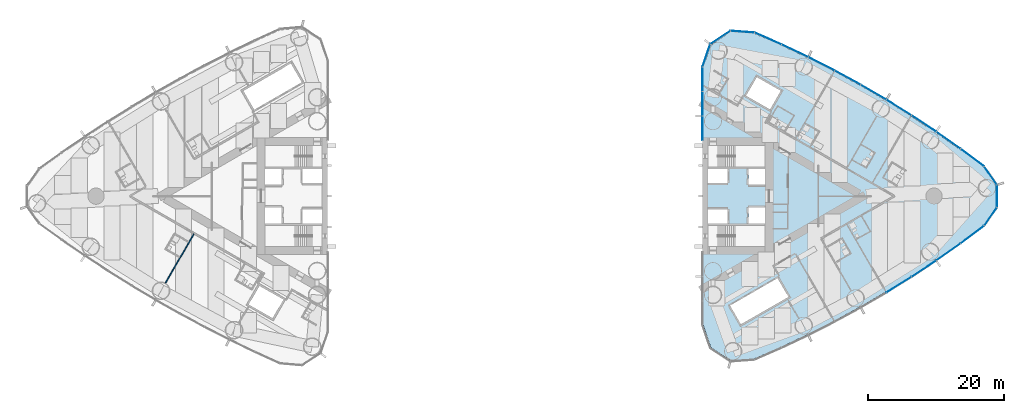
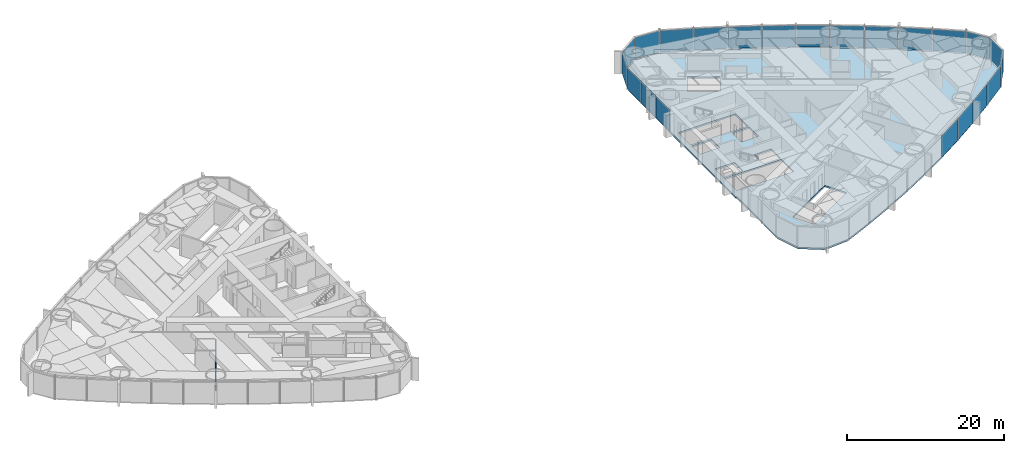
# One storey, part 10 of 19: 22 plates, 1 slab, 1 wall, 1 element without a shape of its own.
"""IFC4 building model written with IfcOpenShell, lengths in metres."""

from ifc_helpers import new_model, si_unit, direction, frame, frame_2d, origin, origin_2d, place, context, subcontext, project, spatial, polyline, rectangle, outline, extrude, material, layer, layer_set, type_object, element, aggregate, save


model = new_model("IFC4")

# Units and contexts
model_context = context("Model", 3, precision=1e-05, world=origin(), true_north=direction((0.0, 1.0)))
body_context = subcontext(model_context, "Body", "Model", "MODEL_VIEW")
ifc_project = project(units=[si_unit("LENGTHUNIT", "METRE"), si_unit("AREAUNIT", "SQUARE_METRE"), si_unit("VOLUMEUNIT", "CUBIC_METRE"), si_unit("PLANEANGLEUNIT", "RADIAN"), si_unit("MASSUNIT", "GRAM", prefix="KILO")], contexts=[model_context])

# Site, building, storey
site_placement = place(None, origin())
site = spatial("IfcSite", under=ifc_project, at=site_placement, CompositionType="ELEMENT")
building_placement = place(site_placement, origin())
building = spatial("IfcBuilding", under=site, at=building_placement, Name="Lancet Gate Hotel", CompositionType="ELEMENT")
storey_placement = place(building_placement, frame((0.0, 0.0, 122.10009765625)))
storey = spatial("IfcBuildingStorey", under=building, at=storey_placement, Name="L32", CompositionType="ELEMENT", Elevation=122.10009765625)

# Slab
ifc_material_1 = material(Name="Concrete C50/60", Category="concrete")
ifc_layer_1 = layer(ifc_material_1, 0.25)
ifc_layer_set_1 = layer_set([ifc_layer_1], Name="Floor slab 250")
slab_type = type_object("IfcSlabType", Name="Floor slab 250", PredefinedType="FLOOR", material=ifc_layer_set_1)
slab_placement = place(storey_placement, frame((0.0, 0.0, -0.25)))
element("IfcSlab", 1, at=slab_placement, inside=storey, type_object=slab_type, Name="T2 L32 floor slab", PredefinedType="FLOOR", context=body_context, shape_type="SweptSolid", body=[
    extrude(outline(polyline([(27.5, -8.60009765625), (27.6201171875, -8.60009765625), (27.6201171875, -18.923095703125), (28.7451171875, -22.22412109375), (31.63427734375, -24.1396484375), (35.112060546875, -23.890869140625), (39.0712890625, -22.150634765625), (42.996826171875, -20.29052734375), (46.867919921875, -18.31982421875), (50.681640625, -16.23974609375), (54.4345703125, -14.052490234375), (58.123779296875, -11.75927734375), (61.74658203125, -9.362548828125), (65.2998046875, -6.863525390625), (68.7666015625, -4.275390625), (70.627197265625, -1.6142578125), (70.627197265625, 1.6142578125), (68.7666015625, 4.275390625), (65.2998046875, 6.863525390625), (61.74658203125, 9.362548828125), (58.123779296875, 11.75927734375), (54.4345703125, 14.052490234375), (50.681640625, 16.23974609375), (46.867919921875, 18.31982421875), (42.996826171875, 20.29052734375), (39.0712890625, 22.150634765625), (35.112060546875, 23.890869140625), (31.63427734375, 24.1396484375), (28.7451171875, 22.22412109375), (27.6201171875, 18.923095703125), (27.6201171875, 8.60009765625), (27.5, 8.60009765625), (27.5, 8.199951171875), (27.5, -8.199951171875), (27.5, -8.60009765625)]), holes=[polyline([(36.699951171875, -7.39990234375), (36.699951171875, -4.300048828125), (28.300048828125, -4.300048828125), (28.300048828125, -7.39990234375), (36.699951171875, -7.39990234375)]), polyline([(28.300048828125, -4.0), (31.199951171875, -4.0), (31.199951171875, -1.89990234375), (28.300048828125, -1.89990234375), (28.300048828125, -4.0)]), polyline([(34.25, -4.0), (36.699951171875, -4.0), (36.699951171875, -1.64990234375), (34.25, -1.64990234375), (34.25, -4.0)]), polyline([(36.699951171875, 1.64990234375), (36.699951171875, 4.0), (34.25, 4.0), (34.25, 1.64990234375), (36.699951171875, 1.64990234375)]), polyline([(28.300048828125, 1.89990234375), (31.199951171875, 1.89990234375), (31.199951171875, 4.0), (28.300048828125, 4.0), (28.300048828125, 1.89990234375)]), polyline([(28.300048828125, 4.300048828125), (36.699951171875, 4.300048828125), (36.699951171875, 7.39990234375), (28.300048828125, 7.39990234375), (28.300048828125, 4.300048828125)]), polyline([(31.549072265625, -16.0810546875), (33.14892578125, -18.85205078125), (40.1640625, -14.802001953125), (38.56396484375, -12.031005859375), (31.549072265625, -16.0810546875)]), polyline([(33.887939453125, 14.73095703125), (37.43798828125, 12.680908203125), (39.0380859375, 15.451904296875), (35.488037109375, 17.501953125), (33.887939453125, 14.73095703125)])]), origin(), (0.0, 0.0, 1.0), 0.25),
])

# Curtain wall, plates
ifc_material_2 = material(Name="Aluminium curtain wall", Category="aluminium")
curtain_wall_type = type_object("IfcCurtainWallType", Name="Tower unitised curtain wall", PredefinedType="USERDEFINED", material=ifc_material_2)
curtain_wall_placement = place(storey_placement, origin())
curtain_wall = element("IfcCurtainWall", 2, at=curtain_wall_placement, inside=storey, type_object=curtain_wall_type, Name="T2 L32 curtain wall 1", ObjectType="UNITISED CURTAIN WALL", PredefinedType="USERDEFINED")
ifc_material_3 = material(Name="Glass double glazed unit 8-16-6", Category="glass")
ifc_layer_2 = layer(ifc_material_3, 0.030029296875)
ifc_layer_set_2 = layer_set([ifc_layer_2], Name="Vision panel double glazed")
plate_type = type_object("IfcPlateType", Name="Vision panel double glazed", PredefinedType="CURTAIN_PANEL", material=ifc_layer_set_2)
plate_1_placement = place(storey_placement, frame((56.342529296875, -13.0078125, -0.000244140625), z_axis=(0.0, 0.0, 1.0), x_axis=(0.849317759497, 0.527881940781, 0.0)))
plate_1 = element("IfcPlate", 3, at=plate_1_placement, type_object=plate_type, Name="T2 L32 curtain wall 1 panel 12", PredefinedType="CURTAIN_PANEL", context=body_context, shape_type="SweptSolid", body=[
    extrude(rectangle(XDim=4.2822265625, YDim=0.030029296875, at=origin_2d()), origin(), (0.0, 0.0, 1.0), 3.35009765625),
])
plate_2_placement = place(storey_placement, frame((60.00146484375, -10.660888671875, -0.000244140625), z_axis=(0.0, 0.0, 1.0), x_axis=(0.83398495346, 0.551787184885, 0.0)))
plate_2 = element("IfcPlate", 4, at=plate_2_placement, type_object=plate_type, Name="T2 L32 curtain wall 1 panel 13", PredefinedType="CURTAIN_PANEL", context=body_context, shape_type="SweptSolid", body=[
    extrude(rectangle(XDim=4.2822265625, YDim=0.030029296875, at=origin_2d()), origin(), (0.0, 0.0, 1.0), 3.35009765625),
])
plate_3_placement = place(storey_placement, frame((63.59228515625, -8.211181640625, -0.000244140625), z_axis=(0.0, 0.0, 1.0), x_axis=(0.817979492167, 0.57524738191, 0.0)))
plate_3 = element("IfcPlate", 5, at=plate_3_placement, type_object=plate_type, Name="T2 L32 curtain wall 1 panel 14", PredefinedType="CURTAIN_PANEL", context=body_context, shape_type="SweptSolid", body=[
    extrude(rectangle(XDim=4.2822265625, YDim=0.030029296875, at=origin_2d()), origin(), (0.0, 0.0, 1.0), 3.35009765625),
])
plate_4_placement = place(storey_placement, frame((67.112060546875, -5.660400390625, -0.000244140625), z_axis=(0.0, 0.0, 1.0), x_axis=(0.801314284905, 0.598243609917, 0.0)))
plate_4 = element("IfcPlate", 6, at=plate_4_placement, type_object=plate_type, Name="T2 L32 curtain wall 1 panel 15", PredefinedType="CURTAIN_PANEL", context=body_context, shape_type="SweptSolid", body=[
    extrude(rectangle(XDim=4.2822265625, YDim=0.030029296875, at=origin_2d()), origin(), (0.0, 0.0, 1.0), 3.35009765625),
])
plate_5_placement = place(storey_placement, frame((69.800537109375, -3.006103515625, -0.000244140625), z_axis=(0.0, 0.0, 1.0), x_axis=(0.573025075425, 0.819537834962, 0.0)))
plate_5 = element("IfcPlate", 7, at=plate_5_placement, type_object=plate_type, Name="T2 L32 curtain wall 1 panel 16", PredefinedType="CURTAIN_PANEL", context=body_context, shape_type="SweptSolid", body=[
    extrude(rectangle(XDim=3.2392578125, YDim=0.030029296875, at=origin_2d()), origin(), (0.0, 0.0, 1.0), 3.35009765625),
])
plate_6_placement = place(storey_placement, frame((70.747314453125, 0.0, -0.000244140625), z_axis=(0.0, 0.0, 1.0), x_axis=(0.0, 1.0, 0.0)))
plate_6 = element("IfcPlate", 8, at=plate_6_placement, type_object=plate_type, Name="T2 L32 curtain wall 1 panel 17", PredefinedType="CURTAIN_PANEL", context=body_context, shape_type="SweptSolid", body=[
    extrude(rectangle(XDim=3.2392578125, YDim=0.030029296875, at=origin_2d()), origin(), (0.0, 0.0, 1.0), 3.35009765625),
])
plate_7_placement = place(storey_placement, frame((69.800537109375, 3.006103515625, -0.000244140625), z_axis=(0.0, 0.0, 1.0), x_axis=(-0.573025075425, 0.819537834962, 0.0)))
plate_7 = element("IfcPlate", 9, at=plate_7_placement, type_object=plate_type, Name="T2 L32 curtain wall 1 panel 18", PredefinedType="CURTAIN_PANEL", context=body_context, shape_type="SweptSolid", body=[
    extrude(rectangle(XDim=3.2392578125, YDim=0.030029296875, at=origin_2d()), origin(), (0.0, 0.0, 1.0), 3.35009765625),
])
plate_8_placement = place(storey_placement, frame((67.112060546875, 5.660400390625, -0.000244140625), z_axis=(0.0, 0.0, 1.0), x_axis=(-0.801314284905, 0.598243609917, 0.0)))
plate_8 = element("IfcPlate", 10, at=plate_8_placement, type_object=plate_type, Name="T2 L32 curtain wall 1 panel 19", PredefinedType="CURTAIN_PANEL", context=body_context, shape_type="SweptSolid", body=[
    extrude(rectangle(XDim=4.2822265625, YDim=0.030029296875, at=origin_2d()), origin(), (0.0, 0.0, 1.0), 3.35009765625),
])
plate_9_placement = place(storey_placement, frame((63.59228515625, 8.211181640625, -0.000244140625), z_axis=(0.0, 0.0, 1.0), x_axis=(-0.817979492167, 0.57524738191, 0.0)))
plate_9 = element("IfcPlate", 11, at=plate_9_placement, type_object=plate_type, Name="T2 L32 curtain wall 1 panel 20", PredefinedType="CURTAIN_PANEL", context=body_context, shape_type="SweptSolid", body=[
    extrude(rectangle(XDim=4.2822265625, YDim=0.030029296875, at=origin_2d()), origin(), (0.0, 0.0, 1.0), 3.35009765625),
])
plate_10_placement = place(storey_placement, frame((60.00146484375, 10.660888671875, -0.000244140625), z_axis=(0.0, 0.0, 1.0), x_axis=(-0.83398495346, 0.551787184885, 0.0)))
plate_10 = element("IfcPlate", 12, at=plate_10_placement, type_object=plate_type, Name="T2 L32 curtain wall 1 panel 21", PredefinedType="CURTAIN_PANEL", context=body_context, shape_type="SweptSolid", body=[
    extrude(rectangle(XDim=4.2822265625, YDim=0.030029296875, at=origin_2d()), origin(), (0.0, 0.0, 1.0), 3.35009765625),
])
plate_11_placement = place(storey_placement, frame((56.342529296875, 13.0078125, -0.000244140625), z_axis=(0.0, 0.0, 1.0), x_axis=(-0.849317759497, 0.527881940781, 0.0)))
plate_11 = element("IfcPlate", 13, at=plate_11_placement, type_object=plate_type, Name="T2 L32 curtain wall 1 panel 22", PredefinedType="CURTAIN_PANEL", context=body_context, shape_type="SweptSolid", body=[
    extrude(rectangle(XDim=4.2822265625, YDim=0.030029296875, at=origin_2d()), origin(), (0.0, 0.0, 1.0), 3.35009765625),
])
plate_12_placement = place(storey_placement, frame((52.618408203125, 15.249755859375, -0.000244140625), z_axis=(0.0, 0.0, 1.0), x_axis=(-0.863965543499, 0.503550930538, 0.0)))
plate_12 = element("IfcPlate", 14, at=plate_12_placement, type_object=plate_type, Name="T2 L32 curtain wall 1 panel 23", PredefinedType="CURTAIN_PANEL", context=body_context, shape_type="SweptSolid", body=[
    extrude(rectangle(XDim=4.2822265625, YDim=0.030029296875, at=origin_2d()), origin(), (0.0, 0.0, 1.0), 3.35009765625),
])
plate_13_placement = place(storey_placement, frame((48.832275390625, 17.38525390625, -0.000244140625), z_axis=(0.0, 0.0, 1.0), x_axis=(-0.877916491224, 0.478813778454, 0.0)))
plate_13 = element("IfcPlate", 15, at=plate_13_placement, type_object=plate_type, Name="T2 L32 curtain wall 1 panel 24", PredefinedType="CURTAIN_PANEL", context=body_context, shape_type="SweptSolid", body=[
    extrude(rectangle(XDim=4.2822265625, YDim=0.030029296875, at=origin_2d()), origin(), (0.0, 0.0, 1.0), 3.35009765625),
])
plate_14_placement = place(storey_placement, frame((44.98681640625, 19.412109375, -0.000244140625), z_axis=(0.0, 0.0, 1.0), x_axis=(-0.891159350462, 0.453690436403, 0.0)))
plate_14 = element("IfcPlate", 16, at=plate_14_placement, type_object=plate_type, Name="T2 L32 curtain wall 1 panel 25", PredefinedType="CURTAIN_PANEL", context=body_context, shape_type="SweptSolid", body=[
    extrude(rectangle(XDim=4.2822265625, YDim=0.030029296875, at=origin_2d()), origin(), (0.0, 0.0, 1.0), 3.35009765625),
])
plate_15_placement = place(storey_placement, frame((41.08544921875, 21.3291015625, -0.000244140625), z_axis=(0.0, 0.0, 1.0), x_axis=(-0.903683440096, 0.428201167789, 0.0)))
plate_15 = element("IfcPlate", 17, at=plate_15_placement, type_object=plate_type, Name="T2 L32 curtain wall 1 panel 26", PredefinedType="CURTAIN_PANEL", context=body_context, shape_type="SweptSolid", body=[
    extrude(rectangle(XDim=4.2822265625, YDim=0.030029296875, at=origin_2d()), origin(), (0.0, 0.0, 1.0), 3.35009765625),
])
plate_16_placement = place(storey_placement, frame((37.13134765625, 23.13427734375, -0.000244140625), z_axis=(0.0, 0.0, 1.0), x_axis=(-0.915478658759, 0.40236653111, 0.0)))
plate_16 = element("IfcPlate", 18, at=plate_16_placement, type_object=plate_type, Name="T2 L32 curtain wall 1 panel 27", PredefinedType="CURTAIN_PANEL", context=body_context, shape_type="SweptSolid", body=[
    extrude(rectangle(XDim=4.2822265625, YDim=0.030029296875, at=origin_2d()), origin(), (0.0, 0.0, 1.0), 3.35009765625),
])
plate_17_placement = place(storey_placement, frame((33.37158203125, 24.1357421875, -0.000244140625), z_axis=(0.0, 0.0, 1.0), x_axis=(-0.997448492935, 0.07138980278, 0.0)))
plate_17 = element("IfcPlate", 19, at=plate_17_placement, type_object=plate_type, Name="T2 L32 curtain wall 1 panel 28", PredefinedType="CURTAIN_PANEL", context=body_context, shape_type="SweptSolid", body=[
    extrude(rectangle(XDim=3.4833984375, YDim=0.030029296875, at=origin_2d()), origin(), (0.0, 0.0, 1.0), 3.35009765625),
])
plate_18_placement = place(storey_placement, frame((30.123291015625, 23.281982421875, -0.000244140625), z_axis=(0.0, 0.0, 1.0), x_axis=(-0.833464516611, -0.552572981198, 0.0)))
plate_18 = element("IfcPlate", 20, at=plate_18_placement, type_object=plate_type, Name="T2 L32 curtain wall 1 panel 29", PredefinedType="CURTAIN_PANEL", context=body_context, shape_type="SweptSolid", body=[
    extrude(rectangle(XDim=3.4833984375, YDim=0.030029296875, at=origin_2d()), origin(), (0.0, 0.0, 1.0), 3.35009765625),
])
plate_19_placement = place(storey_placement, frame((28.072265625, 20.622314453125, -0.000244140625), z_axis=(0.0, 0.0, 1.0), x_axis=(-0.32257568891, -0.946543673015, 0.0)))
plate_19 = element("IfcPlate", 21, at=plate_19_placement, type_object=plate_type, Name="T2 L32 curtain wall 1 panel 30", PredefinedType="CURTAIN_PANEL", context=body_context, shape_type="SweptSolid", body=[
    extrude(rectangle(XDim=3.4833984375, YDim=0.030029296875, at=origin_2d()), origin(), (0.0, 0.0, 1.0), 3.35009765625),
])
plate_20_placement = place(storey_placement, frame((27.5, 17.15234375, -0.000244140625), z_axis=(0.0, 0.0, 1.0), x_axis=(0.0, -1.0, 0.0)))
plate_20 = element("IfcPlate", 22, at=plate_20_placement, type_object=plate_type, Name="T2 L32 curtain wall 1 panel 31", PredefinedType="CURTAIN_PANEL", context=body_context, shape_type="SweptSolid", body=[
    extrude(rectangle(XDim=3.515869140625, YDim=0.030029296875, at=origin_2d()), origin(), (0.0, 0.0, 1.0), 3.35009765625),
])
plate_21_placement = place(storey_placement, frame((27.5, 13.571533203125, -0.000244140625), z_axis=(0.0, 0.0, 1.0), x_axis=(0.0, -1.0, 0.0)))
plate_21 = element("IfcPlate", 23, at=plate_21_placement, type_object=plate_type, Name="T2 L32 curtain wall 1 panel 32", PredefinedType="CURTAIN_PANEL", context=body_context, shape_type="SweptSolid", body=[
    extrude(rectangle(XDim=3.515869140625, YDim=0.030029296875, at=origin_2d()), origin(), (0.0, 0.0, 1.0), 3.35009765625),
])
plate_22_placement = place(storey_placement, frame((27.5, 9.990478515625, -0.000244140625), z_axis=(0.0, 0.0, 1.0), x_axis=(0.0, -1.0, 0.0)))
plate_22 = element("IfcPlate", 24, at=plate_22_placement, type_object=plate_type, Name="T2 L32 curtain wall 1 panel 33", PredefinedType="CURTAIN_PANEL", context=body_context, shape_type="SweptSolid", body=[
    extrude(rectangle(XDim=3.515869140625, YDim=0.030029296875, at=origin_2d()), origin(), (0.0, 0.0, 1.0), 3.35009765625),
])
aggregate(curtain_wall, [plate_1, plate_2, plate_3, plate_4, plate_5, plate_6, plate_7, plate_8, plate_9, plate_10, plate_11, plate_12, plate_13, plate_14, plate_15, plate_16, plate_17, plate_18, plate_19, plate_20, plate_21, plate_22])

# Wall
ifc_material_4 = material(Name="Gypsum board partition")
ifc_layer_3 = layer(ifc_material_4, 0.14990234375)
ifc_layer_set_3 = layer_set([ifc_layer_3], Name="Party wall 150")
wall_type = type_object("IfcWallType", Name="Party wall 150", PredefinedType="PARTITIONING", material=ifc_layer_set_3)
wall_placement = place(storey_placement, frame((-47.151123046875, -5.552490234375, 0.0), z_axis=(0.0, 0.0, 1.0), x_axis=(-0.500003012045, -0.866023664773, 0.0)))
element("IfcWall", 25, at=wall_placement, inside=storey, type_object=wall_type, Name="T1 party wall 150 L32", PredefinedType="PARTITIONING", context=body_context, shape_type="SweptSolid", body=[
    extrude(rectangle(XDim=8.31103515625, YDim=0.14990234375, at=frame_2d((4.155517578125, 0.0))), origin(), (0.0, 0.0, 1.0), 2.199951171875),
])

save(model, "model.ifc")
